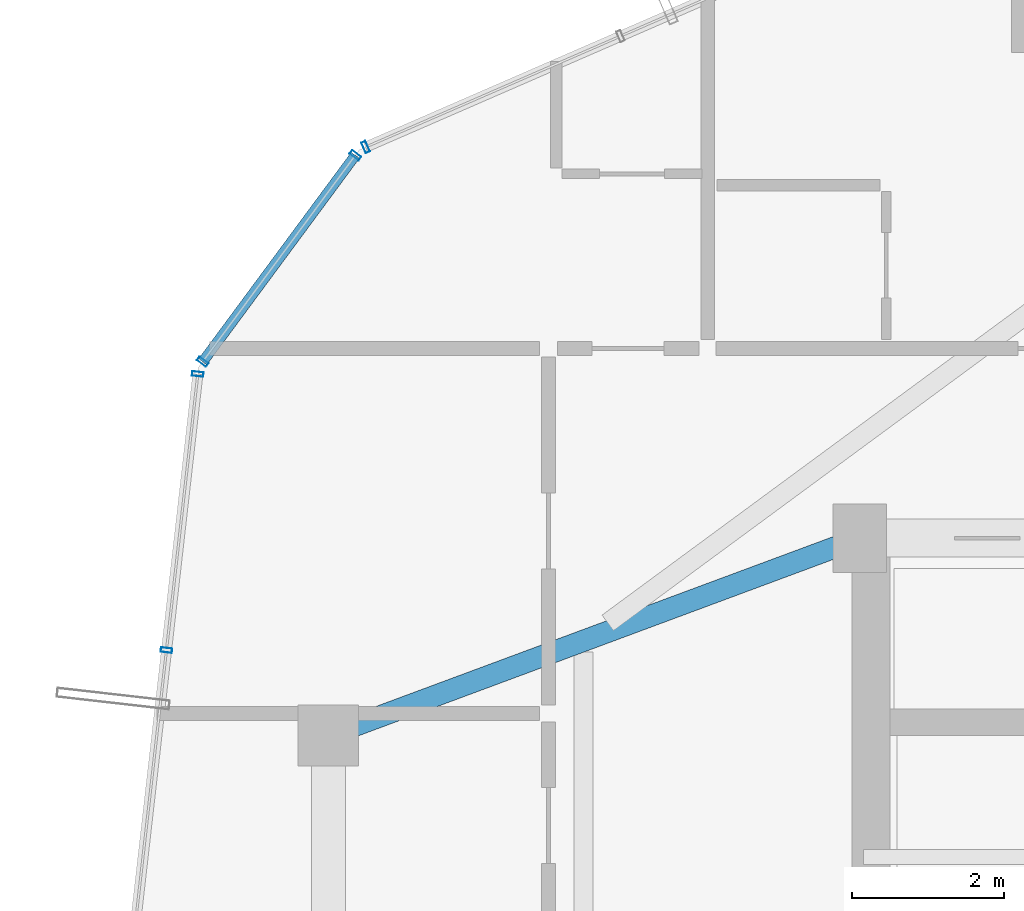
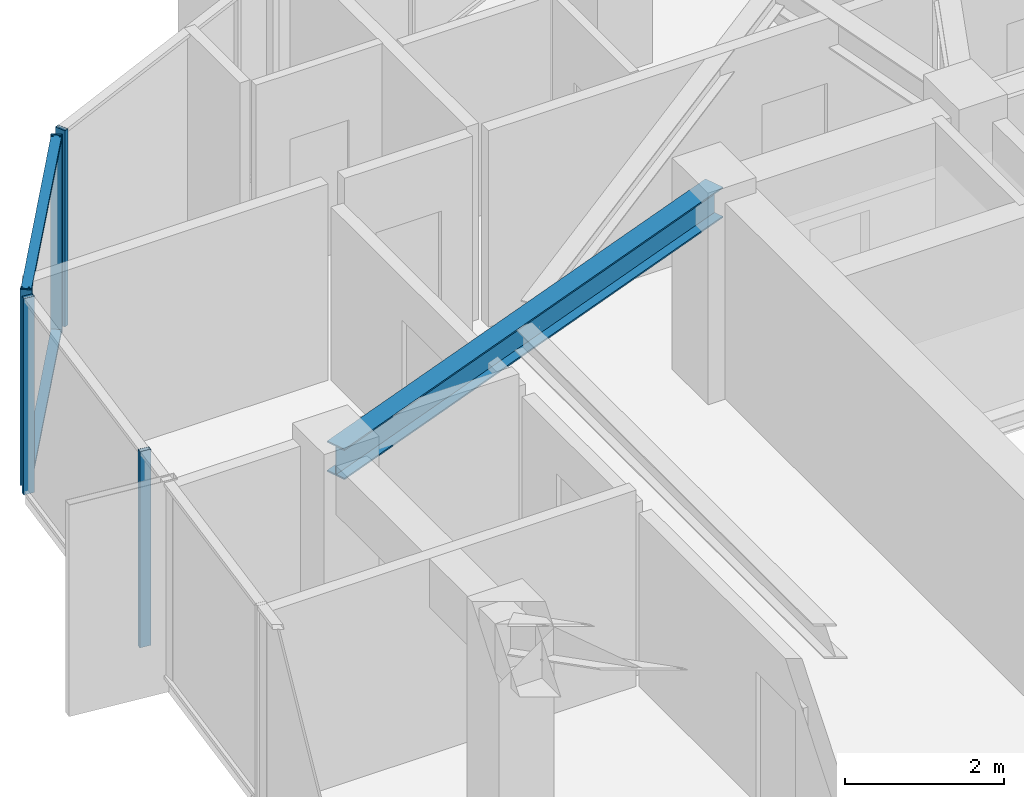
# One storey, part 14 of 30: 7 members, 1 beam, 3 elements without a shape of their own.
"""IFC4 building model written with IfcOpenShell, lengths in metres."""

from ifc_helpers import new_model, si_unit, direction, frame, origin, origin_2d, place, context, subcontext, project, spatial, hollow_rectangle, i_section, extrude, source, transform, mapped, material, layer, layer_set, material_profile, profile_set, type_object, element, aggregate, save


model = new_model("IFC4")

# Units and contexts
model_context = context("Model", 3, precision=1e-05, world=origin(), true_north=direction((0.0, 1.0)))
body_context = subcontext(model_context, "Body", "Model", "MODEL_VIEW")
ifc_project = project(units=[si_unit("LENGTHUNIT", "METRE"), si_unit("AREAUNIT", "SQUARE_METRE"), si_unit("VOLUMEUNIT", "CUBIC_METRE"), si_unit("PLANEANGLEUNIT", "RADIAN"), si_unit("MASSUNIT", "GRAM", prefix="KILO")], contexts=[model_context])

# Site, building, storey
site_placement = place(None, origin())
site = spatial("IfcSite", under=ifc_project, at=site_placement, CompositionType="ELEMENT")
building_placement = place(site_placement, origin())
building = spatial("IfcBuilding", under=site, at=building_placement, Name="Veraguas Prism Commons", CompositionType="ELEMENT")
storey_placement = place(building_placement, frame((0.0, 0.0, 230.050048828125)))
storey = spatial("IfcBuildingStorey", under=building, at=storey_placement, Name="L65", CompositionType="ELEMENT", Elevation=230.050048828125)

# Beam
ifc_material_1 = material(Name="Steel ASTM A992 Grade 50", Category="steel")
ifc_material_profile_1 = material_profile(ifc_material_1, i_section(OverallWidth=0.282958984375, OverallDepth=0.471923828125, WebThickness=0.013671875, FlangeThickness=0.022216796875, at=origin_2d()), Name="W460X144")
ifc_profile_set_1 = profile_set([ifc_material_profile_1], Name="Steel ASTM A992 Grade 50")
beam_type = type_object("IfcBeamType", Name="Zone 4 Radial Girder W460x144", PredefinedType="BEAM", material=ifc_profile_set_1)
beam_placement = place(storey_placement, frame((10.199951171875, 28.39990234375, 2.779052734375), z_axis=(0.937421003341, 0.348198021958, 0.0), x_axis=(-0.348198021958, 0.937421003341, 0.0)))
element("IfcBeam", 1, at=beam_placement, inside=storey, type_object=beam_type, Name="Radial Floor Girder L65-RD07", PredefinedType="BEAM", context=body_context, shape_type="SweptSolid", body=[
    extrude(i_section(OverallWidth=0.282958984375, OverallDepth=0.471923828125, WebThickness=0.013671875, FlangeThickness=0.022216796875, at=origin_2d()), origin(), (0.0, 0.0, 1.0), 7.46728515625),
])

# Curtain wall, member
ifc_material_2 = material(Name="Anodised aluminium EN AW-6063 T6", Category="aluminium")
ifc_layer = layer(ifc_material_2, 0.14990234375, Name="Unitised Flush Curtain Wall Zone 4", Category="aluminium")
ifc_layer_set = layer_set([ifc_layer], Name="Anodised aluminium EN AW-6063 T6")
curtain_wall_type = type_object("IfcCurtainWallType", Name="Unitised Flush Curtain Wall Zone 4", PredefinedType="NOTDEFINED", material=ifc_layer_set)
curtain_wall_1_placement = place(storey_placement, origin())
curtain_wall_1 = element("IfcCurtainWall", 2, at=curtain_wall_1_placement, inside=storey, type_object=curtain_wall_type, Name="Tower Facade Curtain Wall L65-F2", PredefinedType="NOTDEFINED")
ifc_material_profile_2 = material_profile(ifc_material_2, hollow_rectangle(XDim=0.06005859375, YDim=0.14990234375, WallThickness=0.0029296875, at=origin_2d()), Name="AL60X150X3")
ifc_profile_set_2 = profile_set([ifc_material_profile_2], Name="Anodised aluminium EN AW-6063 T6")
member_type_1 = type_object("IfcMemberType", Name="Curtain Wall Mullion Upper AL 60x150x3", PredefinedType="MULLION", material=ifc_profile_set_2)
shared_shape_1 = source(origin(), body_context, "Body", "SweptSolid", [
    extrude(hollow_rectangle(XDim=0.06005859375, YDim=0.14990234375, WallThickness=0.0029296875, at=origin_2d()), origin(), (0.0, 0.0, 1.0), 3.014892578125),
])
member_1_placement = place(storey_placement, frame((10.691162109375, 36.153076171875, 0.0), z_axis=(0.0, 0.0, 1.0), x_axis=(-0.916918739301, -0.399073959961, 0.0)))
member_1 = element("IfcMember", 3, at=member_1_placement, type_object=member_type_1, Name="CW-Z4 Mullion 5", PredefinedType="MULLION", context=body_context, shape_type="MappedRepresentation", body=[
    mapped(shared_shape_1, transform((0.0, 0.0, 0.0), scale=1.0)),
])
aggregate(curtain_wall_1, [member_1])

# Curtain wall, members
curtain_wall_2_placement = place(storey_placement, origin())
curtain_wall_2 = element("IfcCurtainWall", 4, at=curtain_wall_2_placement, inside=storey, type_object=curtain_wall_type, Name="Tower Facade Curtain Wall L65-F3", PredefinedType="NOTDEFINED")
member_2_placement = place(storey_placement, frame((8.48046875, 33.1630859375, 0.0), z_axis=(0.0, 0.0, 1.0), x_axis=(-0.112858119052, -0.993611113547, 0.0)))
member_2 = element("IfcMember", 5, at=member_2_placement, type_object=member_type_1, Name="CW-Z4 Mullion 1", PredefinedType="MULLION", context=body_context, shape_type="MappedRepresentation", body=[
    mapped(shared_shape_1, transform((0.0, 0.0, 0.0), scale=1.0)),
])
member_3_placement = place(storey_placement, frame((8.0673828125, 29.52490234375, 0.0), z_axis=(0.0, 0.0, 1.0), x_axis=(-0.112858119052, -0.993611113547, 0.0)))
member_3 = element("IfcMember", 6, at=member_3_placement, type_object=member_type_1, Name="CW-Z4 Mullion 2", PredefinedType="MULLION", context=body_context, shape_type="MappedRepresentation", body=[
    mapped(shared_shape_1, transform((0.0, 0.0, 0.0), scale=1.0)),
])
aggregate(curtain_wall_2, [member_2, member_3])

curtain_wall_3_placement = place(storey_placement, origin())
curtain_wall_3 = element("IfcCurtainWall", 7, at=curtain_wall_3_placement, inside=storey, type_object=curtain_wall_type, Name="Chamfer Curtain Wall L65-C3", PredefinedType="NOTDEFINED")
member_4_placement = place(storey_placement, frame((10.55517578125, 36.044677734375, 0.0), z_axis=(0.0, 0.0, 1.0), x_axis=(-0.594505663641, -0.8040914226, 0.0)))
member_4 = element("IfcMember", 8, at=member_4_placement, type_object=member_type_1, Name="CW-Z4 Mullion 1", PredefinedType="MULLION", context=body_context, shape_type="MappedRepresentation", body=[
    mapped(shared_shape_1, transform((0.0, 0.0, 0.0), scale=1.0)),
])
member_5_placement = place(storey_placement, frame((8.544189453125, 33.324951171875, 0.0), z_axis=(0.0, 0.0, 1.0), x_axis=(-0.594505663641, -0.8040914226, 0.0)))
member_5 = element("IfcMember", 9, at=member_5_placement, type_object=member_type_1, Name="CW-Z4 Mullion 2", PredefinedType="MULLION", context=body_context, shape_type="MappedRepresentation", body=[
    mapped(shared_shape_1, transform((0.0, 0.0, 0.0), scale=1.0)),
])
ifc_material_profile_3 = material_profile(ifc_material_2, hollow_rectangle(XDim=0.054931640625, YDim=0.135009765625, WallThickness=0.0029296875, at=origin_2d()), Name="AL55X135X3")
ifc_profile_set_3 = profile_set([ifc_material_profile_3], Name="Anodised aluminium EN AW-6063 T6")
member_type_2 = type_object("IfcMemberType", Name="Curtain Wall Transom Standard AL 55x135x3", PredefinedType="USERDEFINED", material=ifc_profile_set_3)
shared_shape_2 = source(origin(), body_context, "Body", "SweptSolid", [
    extrude(hollow_rectangle(XDim=0.054931640625, YDim=0.135009765625, WallThickness=0.0029296875, at=origin_2d()), origin(), (0.0, 0.0, 1.0), 3.382568359375),
])
member_6_placement = place(storey_placement, frame((10.55517578125, 36.044677734375, 0.02734375), z_axis=(-0.594535144032, -0.804069625412, 0.0), x_axis=(0.0, 0.0, 1.0)))
member_6 = element("IfcMember", 10, at=member_6_placement, type_object=member_type_2, Name="CW-Z4 Transom 1", ObjectType="TRANSOM", PredefinedType="USERDEFINED", context=body_context, shape_type="MappedRepresentation", body=[
    mapped(shared_shape_2, transform((0.0, 0.0, 0.0), scale=1.0)),
])
member_7_placement = place(storey_placement, frame((10.55517578125, 36.044677734375, 2.987548828125), z_axis=(-0.594535144032, -0.804069625412, 0.0), x_axis=(0.0, 0.0, 1.0)))
member_7 = element("IfcMember", 11, at=member_7_placement, type_object=member_type_2, Name="CW-Z4 Transom 2", ObjectType="TRANSOM", PredefinedType="USERDEFINED", context=body_context, shape_type="MappedRepresentation", body=[
    mapped(shared_shape_2, transform((0.0, 0.0, 0.0), scale=1.0)),
])
aggregate(curtain_wall_3, [member_4, member_5, member_6, member_7])

save(model, "model.ifc")
